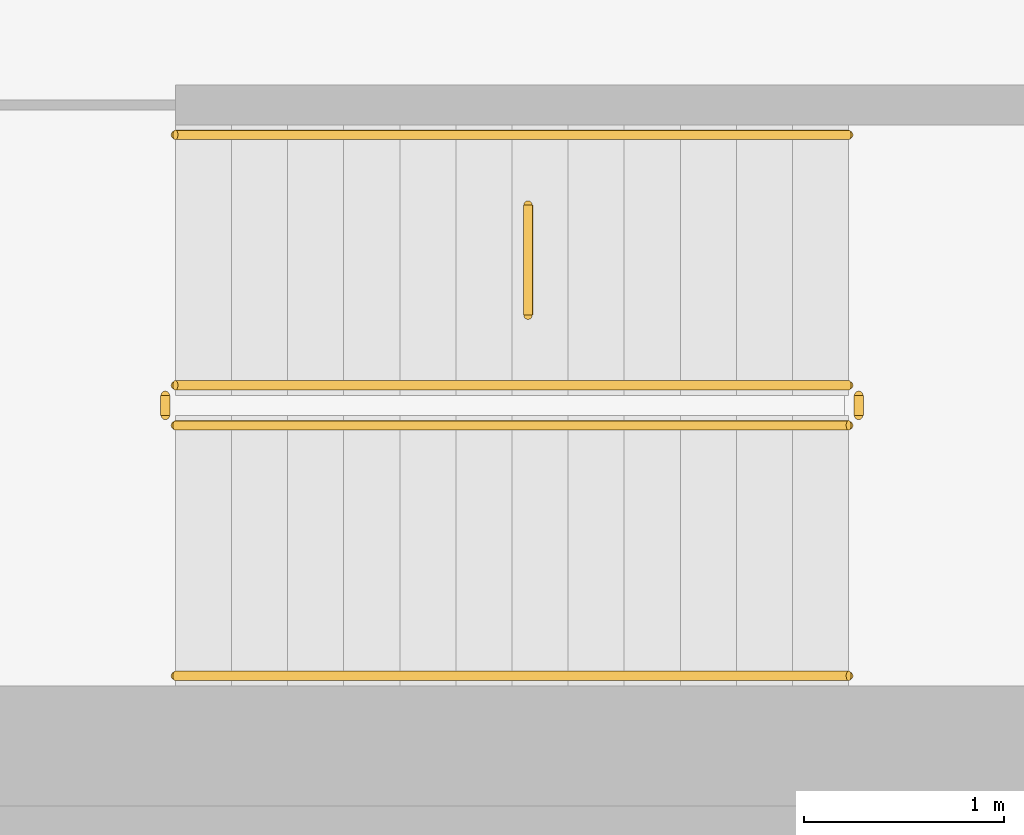
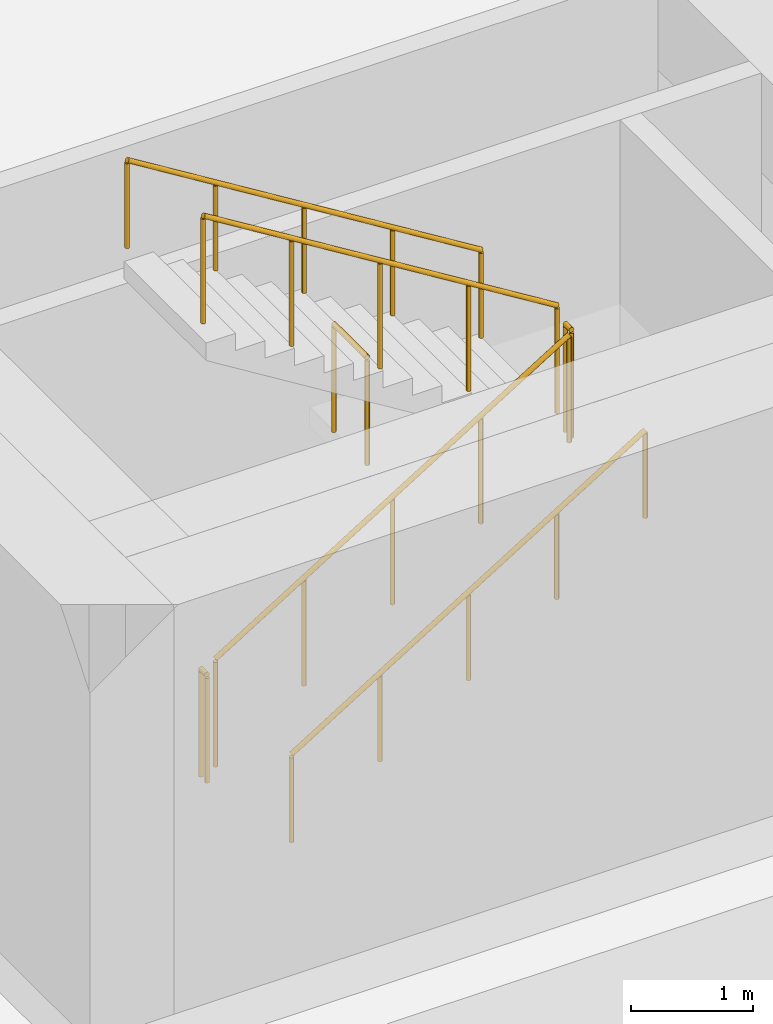
# One storey, part 17 of 25: 7 railings.
"""IFC4 building model written with IfcOpenShell, lengths in metres."""

import ifcopenshell
import ifcopenshell.guid

model = None  # the IFC model being written
_history = None  # IfcOwnerHistory: only IFC2X3 demands one
_inside = {}  # id of a spatial element -> (the spatial element, [elements in it])
_under = {}  # id of a project, library or spatial element -> (it, [spatial elements below it])
_declared = {}  # id of a project -> (the project, [libraries it declares])
_typed = {}  # id of a type object -> (the type object, [elements of that type])
_made_of = {}  # id of a material, layer set ... -> (it, [elements and type objects made of it])


def new_model(schema):
    """Start an empty IFC model of exactly this schema.

    Asked for "IFC4X3", IfcOpenShell would pick the latest addendum, in which some entities
    have other attributes; the version numbers below select the first issue.
    IFC2X3 requires an IfcOwnerHistory on every rooted entity: one is made here for all.
    """
    global model, _history
    if schema == "IFC4X3":
        model = ifcopenshell.file(schema_version=(4, 3, 0, 0))
    else:
        model = ifcopenshell.file(schema=schema)
    _inside.clear()
    _under.clear()
    _declared.clear()
    _typed.clear()
    _made_of.clear()
    _history = None
    if model.schema == "IFC2X3":
        org = make("IfcOrganization", Name="unknown")
        user = make(
            "IfcPersonAndOrganization",
            ThePerson=make("IfcPerson", FamilyName="unknown"),
            TheOrganization=org,
        )
        app = make(
            "IfcApplication",
            ApplicationDeveloper=org,
            Version="unknown",
            ApplicationFullName="unknown",
            ApplicationIdentifier="unknown",
        )
        _history = make(
            "IfcOwnerHistory",
            OwningUser=user,
            OwningApplication=app,
            ChangeAction="ADDED",
            CreationDate=0,
        )
    return model


def make(cls, **values):
    """One entity of the class cls with the attributes given. An attribute that is None is left unset."""
    return model.create_entity(
        cls, **{name: value for name, value in values.items() if value is not None}
    )


def rooted(cls, **values):
    """An entity with a GlobalId (a new one), such as an element, a storey or a relation."""
    return make(cls, GlobalId=ifcopenshell.guid.new(), OwnerHistory=_history, **values)


def si_unit(unit_type, name, prefix=None):
    """IfcSIUnit, for example si_unit("LENGTHUNIT", "METRE", prefix="MILLI")."""
    return make("IfcSIUnit", UnitType=unit_type, Prefix=prefix, Name=name)


def assignment(units):
    """IfcUnitAssignment: the units of a project."""
    return None if units is None else make("IfcUnitAssignment", Units=units)


def point(xyz):
    """IfcCartesianPoint."""
    return None if xyz is None else make("IfcCartesianPoint", Coordinates=xyz)


def direction(xyz):
    """IfcDirection."""
    return None if xyz is None else make("IfcDirection", DirectionRatios=xyz)


def frame(location, z_axis=None, x_axis=None):
    """IfcAxis2Placement3D, a coordinate frame: its origin and axes. An axis left out is left unset."""
    return make(
        "IfcAxis2Placement3D",
        Location=point(location),
        Axis=direction(z_axis),
        RefDirection=direction(x_axis),
    )


def frame_2d(location, x_axis=None):
    """IfcAxis2Placement2D, a coordinate frame in the plane: its origin and x axis."""
    return make(
        "IfcAxis2Placement2D", Location=point(location), RefDirection=direction(x_axis)
    )


def origin():
    """The frame at (0, 0, 0) with its axes left unset."""
    return frame((0.0, 0.0, 0.0))


def origin_2d():
    """The frame at (0, 0) in the plane with its x axis left unset."""
    return frame_2d((0.0, 0.0))


def place(relative_to, where):
    """IfcLocalPlacement: puts the frame where relative to a parent placement (None: the world)."""
    return make(
        "IfcLocalPlacement", PlacementRelTo=relative_to, RelativePlacement=where
    )


def context(
    kind, dimensions, precision=None, world=None, true_north=None, identifier=None
):
    """IfcGeometricRepresentationContext, for example the 3D "Model" context."""
    return make(
        "IfcGeometricRepresentationContext",
        ContextIdentifier=identifier,
        ContextType=kind,
        CoordinateSpaceDimension=dimensions,
        Precision=precision,
        WorldCoordinateSystem=world,
        TrueNorth=true_north,
    )


def subcontext(parent, identifier, kind, view, scale=None):
    """IfcGeometricRepresentationSubContext, for example "Body" below "Model"."""
    return make(
        "IfcGeometricRepresentationSubContext",
        ContextIdentifier=identifier,
        ContextType=kind,
        ParentContext=parent,
        TargetScale=scale,
        TargetView=view,
    )


def project(units=None, contexts=None):
    """IfcProject with its units and contexts."""
    return rooted(
        "IfcProject",
        Name="project",
        RepresentationContexts=contexts,
        UnitsInContext=assignment(units),
    )


def spatial(cls, under=None, at=None, **own):
    """A site, building, storey or space (cls), placed at a placement, below another one or the project."""
    s = rooted(cls, ObjectPlacement=at, **own)
    if under is not None:
        _under.setdefault(under.id(), (under, []))[1].append(s)
    return s


def profile(cls, at=None, kind="AREA", **sizes):
    """A parametric profile (cls). Its sizes go by their IFC names, for example OverallWidth=200.0."""
    return make(cls, ProfileType=kind, Position=at, **sizes)


def circle(**sizes):
    """IfcCircleProfileDef."""
    return profile("IfcCircleProfileDef", **sizes)


def extrude(swept, where, along, depth):
    """IfcExtrudedAreaSolid: the profile swept, set in the frame where, extruded along a direction by depth."""
    return make(
        "IfcExtrudedAreaSolid",
        SweptArea=swept,
        Position=where,
        ExtrudedDirection=direction(along),
        Depth=depth,
    )


def shape(context_of_items, identifier, shape_type, items):
    """IfcShapeRepresentation: the items that make up one representation, for example the "Body"."""
    return make(
        "IfcShapeRepresentation",
        ContextOfItems=context_of_items,
        RepresentationIdentifier=identifier,
        RepresentationType=shape_type,
        Items=items,
    )


def material(Name=None, Category=None):
    """IfcMaterial."""
    return make("IfcMaterial", Name=Name, Category=Category)


def made_of(thing, what):
    """Note that an element or type object is made of a material, layer set ...; save() writes the relation."""
    if what is not None:
        _made_of.setdefault(what.id(), (what, []))[1].append(thing)
    return thing


def type_object(cls, material=None, **own):
    """A type object (cls), such as IfcWallType, which elements share."""
    return made_of(rooted(cls, **own), material)


def element(
    cls,
    number,
    at=None,
    inside=None,
    cuts=None,
    type_object=None,
    material=None,
    context=None,
    identifier="Body",
    shape_type=None,
    held_by="IfcProductDefinitionShape",
    body=None,
    shapes=None,
    **own,
):
    """One element of the class cls, such as IfcWall. Its Tag is "e" and its number.

    at: its placement. inside: the storey or other place that contains it. cuts: it is an
    opening in that element (IfcRelVoidsElement). A single representation is given by context,
    identifier, shape_type and body (its items); several are given by shapes. held_by: the class
    of the entity that holds the representations. save() writes the other relations.
    """
    e = rooted(cls, Tag="e%d" % number, ObjectPlacement=at, **own)
    if body is not None:
        shapes = [shape(context, identifier, shape_type, body)]
    if shapes is not None:
        e.Representation = make(held_by, Representations=shapes)
    if inside is not None:
        _inside.setdefault(inside.id(), (inside, []))[1].append(e)
    if cuts is not None:
        rooted(
            "IfcRelVoidsElement", RelatingBuildingElement=cuts, RelatedOpeningElement=e
        )
    if type_object is not None:
        _typed.setdefault(type_object.id(), (type_object, []))[1].append(e)
    return made_of(e, material)


def aggregate(whole, parts):
    """IfcRelAggregates: a whole, such as a stair, and the parts it consists of."""
    return rooted("IfcRelAggregates", RelatingObject=whole, RelatedObjects=parts)


def save(model, path):
    """Write the relations noted so far, then the file.

    IfcRelAggregates (storeys below a building ...), IfcRelContainedInSpatialStructure (elements
    in a storey), IfcRelDefinesByType, IfcRelAssociatesMaterial and IfcRelDeclares: one each for
    every whole, place, type object, material and project.
    """
    for whole, parts in _under.values():
        aggregate(whole, parts)
    for where, things in _inside.values():
        rooted(
            "IfcRelContainedInSpatialStructure",
            RelatedElements=things,
            RelatingStructure=where,
        )
    for kind, things in _typed.values():
        rooted("IfcRelDefinesByType", RelatedObjects=things, RelatingType=kind)
    for what, things in _made_of.values():
        rooted("IfcRelAssociatesMaterial", RelatedObjects=things, RelatingMaterial=what)
    for by, libraries in _declared.values():
        rooted("IfcRelDeclares", RelatingContext=by, RelatedDefinitions=libraries)
    model.write(path)


model = new_model("IFC4")

# Units and contexts
model_context = context("Model", 3, precision=1e-05, world=origin(), true_north=direction((0.0, 1.0)))
body_context = subcontext(model_context, "Body", "Model", "MODEL_VIEW")
ifc_project = project(units=[si_unit("LENGTHUNIT", "METRE"), si_unit("AREAUNIT", "SQUARE_METRE"), si_unit("VOLUMEUNIT", "CUBIC_METRE"), si_unit("PLANEANGLEUNIT", "RADIAN"), si_unit("MASSUNIT", "GRAM", prefix="KILO")], contexts=[model_context])

# Site, building, storey
site_placement = place(None, origin())
site = spatial("IfcSite", under=ifc_project, at=site_placement, CompositionType="ELEMENT")
building_placement = place(site_placement, origin())
building = spatial("IfcBuilding", under=site, at=building_placement, Name="Stone Belt Terrace Tower", CompositionType="ELEMENT")
storey_placement = place(building_placement, frame((0.0, 0.0, -13.5)))
storey = spatial("IfcBuildingStorey", under=building, at=storey_placement, Name="B3", CompositionType="ELEMENT", Elevation=-13.5)

# Railings
ifc_material_1 = material(Name="Structural steel C345", Category="steel")
railing_type_1 = type_object("IfcRailingType", Name="Car park guard 1100", PredefinedType="GUARDRAIL", material=ifc_material_1)
railing_1_placement = place(storey_placement, frame((-30.75, -48.800048828125, 0.173095703125)))
element("IfcRailing", 1, at=railing_1_placement, inside=storey, type_object=railing_type_1, Name="B3 CS1 stair guard 1", PredefinedType="GUARDRAIL", context=body_context, shape_type="SweptSolid", body=[
    extrude(circle(Radius=0.02392578125, at=origin_2d()), frame((0.0, 0.0, 1.076171875), z_axis=(0.850623216509, 0.0, 0.525775754039), x_axis=(0.0, 1.0, 0.0)), (0.0, 0.0, 1.0), 3.9501953125),
    extrude(circle(Radius=0.02099609375, at=origin_2d()), origin(), (0.0, 0.0, 1.0), 1.052001953125),
    extrude(circle(Radius=0.02099609375, at=origin_2d()), frame((0.840087890625, 0.0, 0.519287109375)), (0.0, 0.0, 1.0), 1.052001953125),
    extrude(circle(Radius=0.02099609375, at=origin_2d()), frame((1.68017578125, 0.0, 1.03857421875)), (0.0, 0.0, 1.0), 1.052001953125),
    extrude(circle(Radius=0.02099609375, at=origin_2d()), frame((2.52001953125, 0.0, 1.5576171875)), (0.0, 0.0, 1.0), 1.052001953125),
    extrude(circle(Radius=0.02099609375, at=origin_2d()), frame((3.360107421875, 0.0, 2.076904296875)), (0.0, 0.0, 1.0), 1.052001953125),
])
railing_2_placement = place(storey_placement, frame((-27.340087890625, -48.75, 2.25)))
element("IfcRailing", 2, at=railing_2_placement, inside=storey, type_object=railing_type_1, Name="B3 CS1 stair guard 2", PredefinedType="GUARDRAIL", context=body_context, shape_type="SweptSolid", body=[
    extrude(circle(Radius=0.02392578125, at=origin_2d()), frame((0.0, 0.0, 1.076171875), z_axis=(0.0, 1.0, 0.0), x_axis=(-1.0, 0.0, 0.0)), (0.0, 0.0, 1.0), 0.10009765625),
    extrude(circle(Radius=0.02099609375, at=origin_2d()), origin(), (0.0, 0.0, 1.0), 1.052001953125),
    extrude(circle(Radius=0.02099609375, at=origin_2d()), frame((0.0, 0.10009765625, 0.0)), (0.0, 0.0, 1.0), 1.052001953125),
])
railing_3_placement = place(storey_placement, frame((-27.389892578125, -48.60009765625, 2.423095703125)))
element("IfcRailing", 3, at=railing_3_placement, inside=storey, type_object=railing_type_1, Name="B3 CS1 stair guard 3", PredefinedType="GUARDRAIL", context=body_context, shape_type="SweptSolid", body=[
    extrude(circle(Radius=0.02392578125, at=origin_2d()), frame((0.0, 0.0, 1.076171875), z_axis=(-0.850623216509, 0.0, 0.525775754039), x_axis=(0.0, -1.0, 0.0)), (0.0, 0.0, 1.0), 3.9501953125),
    extrude(circle(Radius=0.02099609375, at=origin_2d()), origin(), (0.0, 0.0, 1.0), 1.052001953125),
    extrude(circle(Radius=0.02099609375, at=origin_2d()), frame((-0.840087890625, 0.0, 0.519287109375)), (0.0, 0.0, 1.0), 1.052001953125),
    extrude(circle(Radius=0.02099609375, at=origin_2d()), frame((-1.68017578125, 0.0, 1.03857421875)), (0.0, 0.0, 1.0), 1.052001953125),
    extrude(circle(Radius=0.02099609375, at=origin_2d()), frame((-2.52001953125, 0.0, 1.5576171875)), (0.0, 0.0, 1.0), 1.052001953125),
    extrude(circle(Radius=0.02099609375, at=origin_2d()), frame((-3.360107421875, 0.0, 2.076904296875)), (0.0, 0.0, 1.0), 1.052001953125),
])
railing_4_placement = place(storey_placement, frame((-30.800048828125, -48.75, 0.0)))
element("IfcRailing", 4, at=railing_4_placement, inside=storey, type_object=railing_type_1, Name="B3 CS1 stair guard 4", PredefinedType="GUARDRAIL", context=body_context, shape_type="SweptSolid", body=[
    extrude(circle(Radius=0.02392578125, at=origin_2d()), frame((0.0, 0.0, 1.076171875), z_axis=(0.0, 1.0, 0.0), x_axis=(-1.0, 0.0, 0.0)), (0.0, 0.0, 1.0), 0.10009765625),
    extrude(circle(Radius=0.02099609375, at=origin_2d()), origin(), (0.0, 0.0, 1.0), 1.052001953125),
    extrude(circle(Radius=0.02099609375, at=origin_2d()), frame((0.0, 0.10009765625, 0.0)), (0.0, 0.0, 1.0), 1.052001953125),
])
railing_5_placement = place(storey_placement, frame((-28.989990234375, -48.25, 2.25)))
element("IfcRailing", 5, at=railing_5_placement, inside=storey, type_object=railing_type_1, Name="Car park stair landing guard", PredefinedType="GUARDRAIL", context=body_context, shape_type="SweptSolid", body=[
    extrude(circle(Radius=0.02392578125, at=origin_2d()), frame((0.0, 0.0, 1.076171875), z_axis=(0.0, 1.0, 0.0), x_axis=(-1.0, 0.0, 0.0)), (0.0, 0.0, 1.0), 0.550048828125),
    extrude(circle(Radius=0.02099609375, at=origin_2d()), origin(), (0.0, 0.0, 1.0), 1.052001953125),
    extrude(circle(Radius=0.02099609375, at=origin_2d()), frame((0.0, 0.550048828125, 0.0)), (0.0, 0.0, 1.0), 1.052001953125),
])
ifc_material_2 = material(Name="Stainless steel", Category="steel")
railing_type_2 = type_object("IfcRailingType", Name="Car park handrail 900", PredefinedType="HANDRAIL", material=ifc_material_2)
railing_6_placement = place(storey_placement, frame((-30.75, -50.050048828125, 0.173095703125)))
element("IfcRailing", 6, at=railing_6_placement, inside=storey, type_object=railing_type_2, Name="B3 CS1 stair handrail 1", PredefinedType="HANDRAIL", context=body_context, shape_type="SweptSolid", body=[
    extrude(circle(Radius=0.02392578125, at=origin_2d()), frame((0.0, 0.0, 0.8759765625), z_axis=(0.850623216509, 0.0, 0.525775754039), x_axis=(0.0, 1.0, 0.0)), (0.0, 0.0, 1.0), 3.9501953125),
    extrude(circle(Radius=0.02099609375, at=origin_2d()), origin(), (0.0, 0.0, 1.0), 0.851806640625),
    extrude(circle(Radius=0.02099609375, at=origin_2d()), frame((0.840087890625, 0.0, 0.519287109375)), (0.0, 0.0, 1.0), 0.851806640625),
    extrude(circle(Radius=0.02099609375, at=origin_2d()), frame((1.68017578125, 0.0, 1.03857421875)), (0.0, 0.0, 1.0), 0.851806640625),
    extrude(circle(Radius=0.02099609375, at=origin_2d()), frame((2.52001953125, 0.0, 1.5576171875)), (0.0, 0.0, 1.0), 0.851806640625),
    extrude(circle(Radius=0.02099609375, at=origin_2d()), frame((3.360107421875, 0.0, 2.076904296875)), (0.0, 0.0, 1.0), 0.851806640625),
])
railing_7_placement = place(storey_placement, frame((-27.389892578125, -47.35009765625, 2.423095703125)))
element("IfcRailing", 7, at=railing_7_placement, inside=storey, type_object=railing_type_2, Name="B3 CS1 stair handrail 2", PredefinedType="HANDRAIL", context=body_context, shape_type="SweptSolid", body=[
    extrude(circle(Radius=0.02392578125, at=origin_2d()), frame((0.0, 0.0, 0.8759765625), z_axis=(-0.850623216509, 0.0, 0.525775754039), x_axis=(0.0, -1.0, 0.0)), (0.0, 0.0, 1.0), 3.9501953125),
    extrude(circle(Radius=0.02099609375, at=origin_2d()), origin(), (0.0, 0.0, 1.0), 0.851806640625),
    extrude(circle(Radius=0.02099609375, at=origin_2d()), frame((-0.840087890625, 0.0, 0.519287109375)), (0.0, 0.0, 1.0), 0.851806640625),
    extrude(circle(Radius=0.02099609375, at=origin_2d()), frame((-1.68017578125, 0.0, 1.03857421875)), (0.0, 0.0, 1.0), 0.851806640625),
    extrude(circle(Radius=0.02099609375, at=origin_2d()), frame((-2.52001953125, 0.0, 1.5576171875)), (0.0, 0.0, 1.0), 0.851806640625),
    extrude(circle(Radius=0.02099609375, at=origin_2d()), frame((-3.360107421875, 0.0, 2.076904296875)), (0.0, 0.0, 1.0), 0.851806640625),
])

save(model, "model.ifc")
